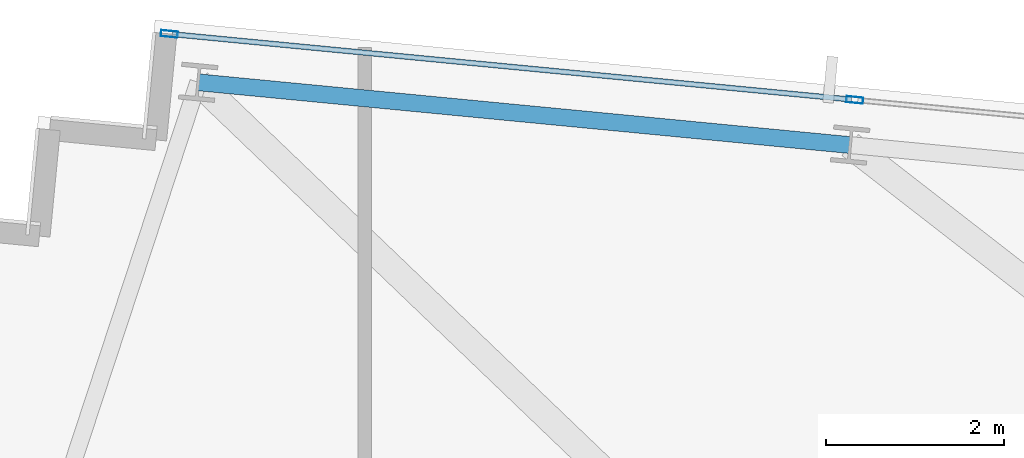
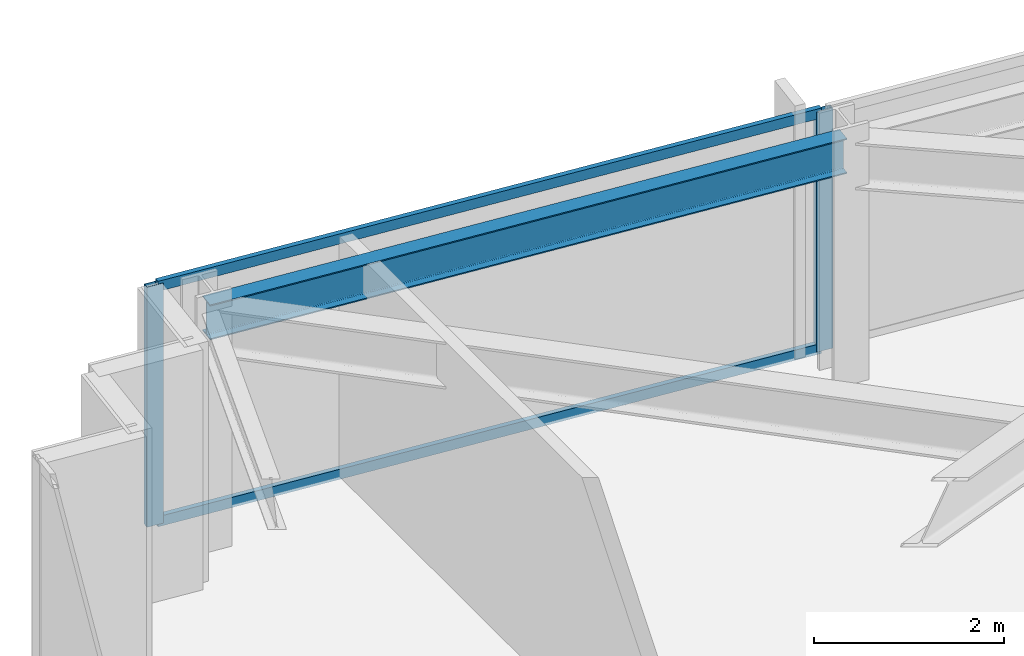
# One storey, part 23 of 37: 4 members, 1 beam, 1 element without a shape of its own.
"""IFC4 building model written with IfcOpenShell, lengths in metres."""

from ifc_helpers import new_model, si_unit, direction, frame, origin, origin_2d, place, context, subcontext, project, spatial, hollow_rectangle, i_section, extrude, material, material_profile, profile_set, type_object, element, aggregate, save


model = new_model("IFC4")

# Units and contexts
model_context = context("Model", 3, precision=1e-05, world=origin(), true_north=direction((0.0, 1.0)))
body_context = subcontext(model_context, "Body", "Model", "MODEL_VIEW")
ifc_project = project(units=[si_unit("LENGTHUNIT", "METRE"), si_unit("AREAUNIT", "SQUARE_METRE"), si_unit("VOLUMEUNIT", "CUBIC_METRE"), si_unit("PLANEANGLEUNIT", "RADIAN"), si_unit("MASSUNIT", "GRAM", prefix="KILO")], contexts=[model_context])

# Site, building, storey
site_placement = place(None, origin())
site = spatial("IfcSite", under=ifc_project, at=site_placement, CompositionType="ELEMENT")
building_placement = place(site_placement, origin())
building = spatial("IfcBuilding", under=site, at=building_placement, Name="Yelkora Congress Tower", CompositionType="ELEMENT")
storey_placement = place(building_placement, frame((0.0, 0.0, 182.0)))
storey = spatial("IfcBuildingStorey", under=building, at=storey_placement, Name="L50", CompositionType="ELEMENT", Elevation=182.0)

# Beam
ifc_material_1 = material(Name="Steel S355J2", Category="steel")
ifc_material_profile_1 = material_profile(ifc_material_1, i_section(OverallWidth=0.18994140625, OverallDepth=0.449951171875, WebThickness=0.009521484375, FlangeThickness=0.0146484375, FilletRadius=0.02099609375, at=origin_2d()), Name="IPE 450")
ifc_profile_set_1 = profile_set([ifc_material_profile_1], Name="Steel S355J2")
beam_type = type_object("IfcBeamType", Name="BM-SPAN-IPE450", PredefinedType="SPANDREL", material=ifc_profile_set_1)
beam_placement = place(storey_placement, frame((14.712158203125, 49.685546875, 2.85498046875), z_axis=(-0.995397104697, 0.095836339457, 0.0), x_axis=(-0.095836339457, -0.995397104697, 0.0)))
element("IfcBeam", 1, at=beam_placement, inside=storey, type_object=beam_type, Name="L50 Perimeter Beam 15", PredefinedType="SPANDREL", context=body_context, shape_type="SweptSolid", body=[
    extrude(i_section(OverallWidth=0.18994140625, OverallDepth=0.449951171875, WebThickness=0.009521484375, FlangeThickness=0.0146484375, FilletRadius=0.02099609375, at=origin_2d()), origin(), (0.0, 0.0, 1.0), 7.357177734375),
])

# Curtain wall, members
ifc_material_2 = material(Name="Anodised aluminium and insulated glass", Category="aluminium")
curtain_wall_type = type_object("IfcCurtainWallType", Name="CW-SYS-B3", PredefinedType="NOTDEFINED", material=ifc_material_2)
curtain_wall_placement = place(storey_placement, origin())
curtain_wall = element("IfcCurtainWall", 2, at=curtain_wall_placement, inside=storey, type_object=curtain_wall_type, Name="L50 Unitised Curtain Wall 10 (1)", PredefinedType="NOTDEFINED")
ifc_material_3 = material(Name="Anodised aluminium 6063-T6", Category="aluminium")
ifc_material_profile_2 = material_profile(ifc_material_3, hollow_rectangle(XDim=0.070068359375, YDim=0.18994140625, WallThickness=0.00390625, at=origin_2d()), Name="ALU 70x190x4")
ifc_profile_set_2 = profile_set([ifc_material_profile_2], Name="Anodised aluminium 6063-T6")
member_type_1 = type_object("IfcMemberType", Name="MEM-ML-B3", PredefinedType="MULLION", material=ifc_profile_set_2)
member_1_placement = place(storey_placement, frame((7.064453125, 50.934326171875, 0.0), z_axis=(0.0, 0.0, 1.0), x_axis=(0.095844761168, 0.995396293823, 0.0)))
member_1 = element("IfcMember", 3, at=member_1_placement, type_object=member_type_1, Name="CW-B3 mullion 1", PredefinedType="MULLION", context=body_context, shape_type="SweptSolid", body=[
    extrude(hollow_rectangle(XDim=0.070068359375, YDim=0.18994140625, WallThickness=0.00390625, at=origin_2d()), origin(), (0.0, 0.0, 1.0), 3.080078125),
])
member_2_placement = place(storey_placement, frame((14.76318359375, 50.19287109375, 0.0), z_axis=(0.0, 0.0, 1.0), x_axis=(0.095844761168, 0.995396293823, 0.0)))
member_2 = element("IfcMember", 4, at=member_2_placement, type_object=member_type_1, Name="CW-B3 mullion 2", PredefinedType="MULLION", context=body_context, shape_type="SweptSolid", body=[
    extrude(hollow_rectangle(XDim=0.070068359375, YDim=0.18994140625, WallThickness=0.00390625, at=origin_2d()), origin(), (0.0, 0.0, 1.0), 3.080078125),
])
ifc_material_profile_3 = material_profile(ifc_material_3, hollow_rectangle(XDim=0.06005859375, YDim=0.1298828125, WallThickness=0.00390625, at=origin_2d()), Name="ALU 60x130x4")
ifc_profile_set_3 = profile_set([ifc_material_profile_3], Name="Anodised aluminium 6063-T6")
member_type_2 = type_object("IfcMemberType", Name="MEM-TR-B3", PredefinedType="USERDEFINED", material=ifc_profile_set_3)
member_3_placement = place(storey_placement, frame((7.099365234375, 50.930908203125, 0.030029296875), z_axis=(0.995395712642, -0.09585079683, 0.0), x_axis=(0.09585079683, 0.995395712642, 0.0)))
member_3 = element("IfcMember", 5, at=member_3_placement, type_object=member_type_2, Name="CW-B3 transom 1.1", ObjectType="TRANSOM", PredefinedType="USERDEFINED", context=body_context, shape_type="SweptSolid", body=[
    extrude(hollow_rectangle(XDim=0.06005859375, YDim=0.1298828125, WallThickness=0.00390625, at=origin_2d()), origin(), (0.0, 0.0, 1.0), 7.664306640625),
])
member_4_placement = place(storey_placement, frame((7.099365234375, 50.930908203125, 3.050048828125), z_axis=(0.995395712642, -0.09585079683, 0.0), x_axis=(0.09585079683, 0.995395712642, 0.0)))
member_4 = element("IfcMember", 6, at=member_4_placement, type_object=member_type_2, Name="CW-B3 transom 1.2", ObjectType="TRANSOM", PredefinedType="USERDEFINED", context=body_context, shape_type="SweptSolid", body=[
    extrude(hollow_rectangle(XDim=0.06005859375, YDim=0.1298828125, WallThickness=0.00390625, at=origin_2d()), origin(), (0.0, 0.0, 1.0), 7.664306640625),
])
aggregate(curtain_wall, [member_1, member_2, member_3, member_4])

save(model, "model.ifc")
